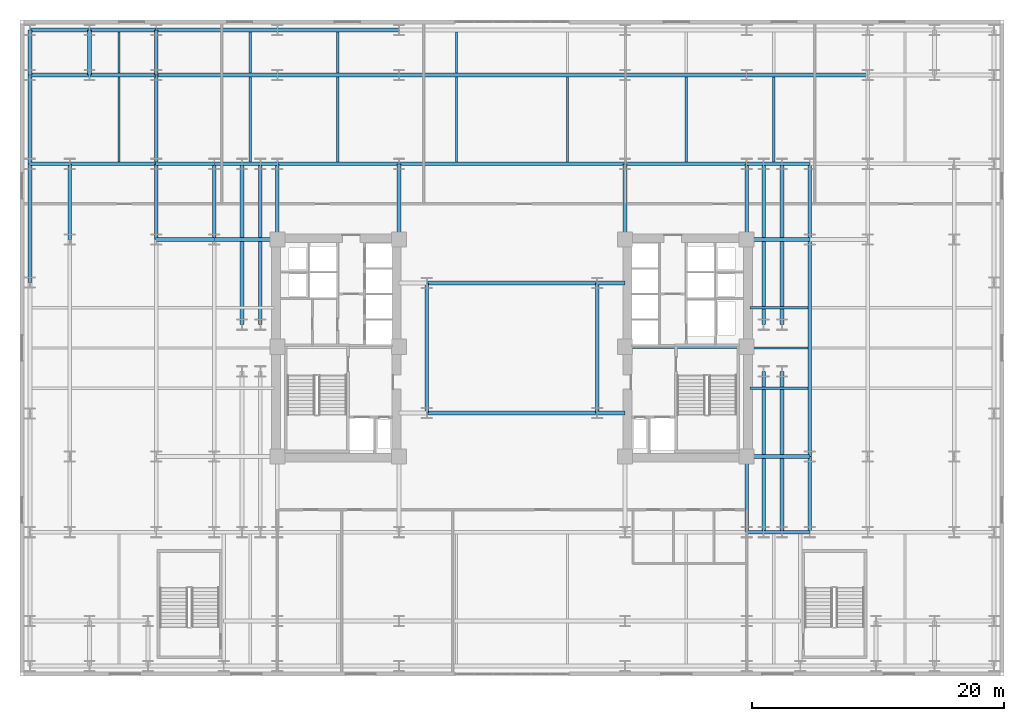
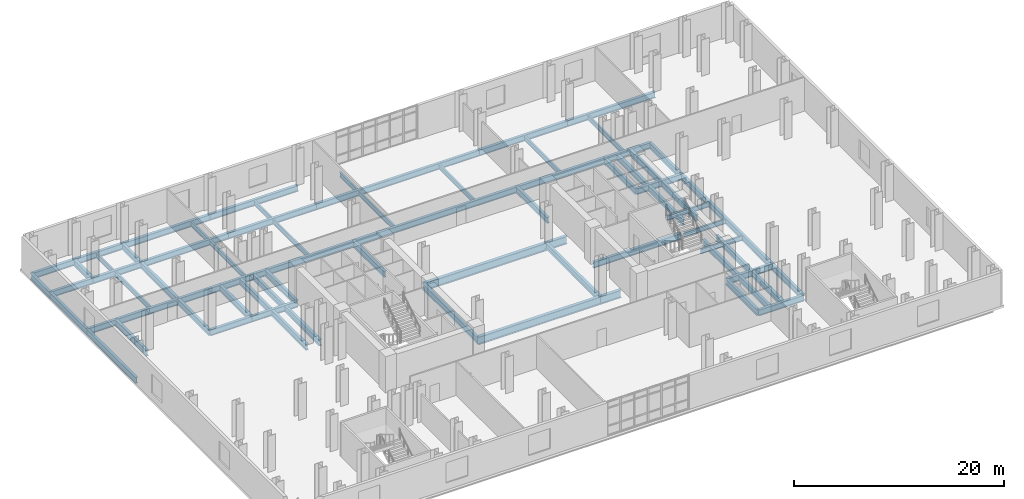
# One storey, part 4 of 13: 68 beams.
"""IFC4 building model written with IfcOpenShell, lengths in metres."""

from ifc_helpers import new_model, si_unit, direction, frame, origin, origin_2d, place, context, subcontext, project, spatial, i_section, extrude, material, material_profile, profile_set, type_object, element, save


model = new_model("IFC4")

# Units and contexts
model_context = context("Model", 3, precision=1e-05, world=origin(), true_north=direction((0.0, 1.0)))
body_context = subcontext(model_context, "Body", "Model", "MODEL_VIEW")
ifc_project = project(units=[si_unit("LENGTHUNIT", "METRE"), si_unit("AREAUNIT", "SQUARE_METRE"), si_unit("VOLUMEUNIT", "CUBIC_METRE"), si_unit("PLANEANGLEUNIT", "RADIAN"), si_unit("MASSUNIT", "GRAM", prefix="KILO")], contexts=[model_context])

# Site, building, storey
site_placement = place(None, origin())
site = spatial("IfcSite", under=ifc_project, at=site_placement, CompositionType="ELEMENT")
building_placement = place(site_placement, origin())
building = spatial("IfcBuilding", under=site, at=building_placement, Name="Velakula Bourse", CompositionType="ELEMENT")
storey_placement = place(building_placement, frame((0.0, 0.0, 18.60009765625)))
storey = spatial("IfcBuildingStorey", under=building, at=storey_placement, Name="L04", CompositionType="ELEMENT", Elevation=18.60009765625)

# Beams
ifc_material = material(Name="Steel IS 2062 Grade 350 (E350)", Category="steel")
ifc_material_profile_1 = material_profile(ifc_material, i_section(OverallWidth=0.35009765625, OverallDepth=0.89990234375, WebThickness=0.02001953125, FlangeThickness=0.031982421875, at=origin_2d()), Name="Steel IS 2062 Grade 350 (E350)")
ifc_profile_set_1 = profile_set([ifc_material_profile_1], Name="Steel IS 2062 Grade 350 (E350)")
beam_type_1 = type_object("IfcBeamType", Name="BM-LNK-900", PredefinedType="BEAM", material=ifc_profile_set_1)
beam_1_placement = place(storey_placement, frame((-6.75, -5.14990234375, -0.7001953125), z_axis=(1.0, 0.0, 0.0), x_axis=(0.0, 1.0, 0.0)))
element("IfcBeam", 1, at=beam_1_placement, inside=storey, type_object=beam_type_1, Name="L04 Primary Backbone Girder LNK-S2", PredefinedType="BEAM", context=body_context, shape_type="SweptSolid", body=[
    extrude(i_section(OverallWidth=0.35009765625, OverallDepth=0.89990234375, WebThickness=0.02001953125, FlangeThickness=0.031982421875, at=origin_2d()), origin(), (0.0, 0.0, 1.0), 13.5),
])
beam_2_placement = place(storey_placement, frame((6.75, -5.14990234375, -0.7001953125), z_axis=(1.0, 0.0, 0.0), x_axis=(0.0, 1.0, 0.0)))
element("IfcBeam", 2, at=beam_2_placement, inside=storey, type_object=beam_type_1, Name="L04 Primary Backbone Girder LNK-S3", PredefinedType="BEAM", context=body_context, shape_type="SweptSolid", body=[
    extrude(i_section(OverallWidth=0.35009765625, OverallDepth=0.89990234375, WebThickness=0.02001953125, FlangeThickness=0.031982421875, at=origin_2d()), origin(), (0.0, 0.0, 1.0), 2.199951171875),
])
beam_3_placement = place(storey_placement, frame((-6.75, 5.14990234375, -0.7001953125), z_axis=(1.0, 0.0, 0.0), x_axis=(0.0, 1.0, 0.0)))
element("IfcBeam", 3, at=beam_3_placement, inside=storey, type_object=beam_type_1, Name="L04 Primary Backbone Girder LNK-N2", PredefinedType="BEAM", context=body_context, shape_type="SweptSolid", body=[
    extrude(i_section(OverallWidth=0.35009765625, OverallDepth=0.89990234375, WebThickness=0.02001953125, FlangeThickness=0.031982421875, at=origin_2d()), origin(), (0.0, 0.0, 1.0), 13.5),
])
beam_4_placement = place(storey_placement, frame((6.75, 5.14990234375, -0.7001953125), z_axis=(1.0, 0.0, 0.0), x_axis=(0.0, 1.0, 0.0)))
element("IfcBeam", 4, at=beam_4_placement, inside=storey, type_object=beam_type_1, Name="L04 Primary Backbone Girder LNK-N3", PredefinedType="BEAM", context=body_context, shape_type="SweptSolid", body=[
    extrude(i_section(OverallWidth=0.35009765625, OverallDepth=0.89990234375, WebThickness=0.02001953125, FlangeThickness=0.031982421875, at=origin_2d()), origin(), (0.0, 0.0, 1.0), 2.199951171875),
])
ifc_material_profile_2 = material_profile(ifc_material, i_section(OverallWidth=0.300048828125, OverallDepth=0.699951171875, WebThickness=0.01611328125, FlangeThickness=0.02490234375, at=origin_2d()), Name="Steel IS 2062 Grade 350 (E350)")
ifc_profile_set_2 = profile_set([ifc_material_profile_2], Name="Steel IS 2062 Grade 350 (E350)")
beam_type_2 = type_object("IfcBeamType", Name="BM-POD-700", PredefinedType="BEAM", material=ifc_profile_set_2)
beam_5_placement = place(storey_placement, frame((8.949951171875, 0.10009765625, -0.60009765625), z_axis=(1.0, 0.0, 0.0), x_axis=(0.0, 1.0, 0.0)))
element("IfcBeam", 5, at=beam_5_placement, inside=storey, type_object=beam_type_2, Name="L04 Primary Backbone Girder CRE-M", PredefinedType="BEAM", context=body_context, shape_type="SweptSolid", body=[
    extrude(i_section(OverallWidth=0.300048828125, OverallDepth=0.699951171875, WebThickness=0.01611328125, FlangeThickness=0.02490234375, at=origin_2d()), origin(), (0.0, 0.0, 1.0), 9.650146484375),
])
for number, where, z_axis, x_axis, name in (
    (6, (-6.75, -5.14990234375, -0.60009765625), (0.0, 1.0, 0.0), (-1.0, 0.0, 0.0), "L04 Primary Backbone Girder SPN-W"),
    (7, (6.75, -5.14990234375, -0.60009765625), (0.0, 1.0, 0.0), (-1.0, 0.0, 0.0), "L04 Primary Backbone Girder SPN-E"),
):
    element("IfcBeam", number, at=place(storey_placement, frame(where, z_axis=z_axis, x_axis=x_axis)), inside=storey, type_object=beam_type_2, Name=name, PredefinedType="BEAM", context=body_context, shape_type="SweptSolid", body=[
        extrude(i_section(OverallWidth=0.300048828125, OverallDepth=0.699951171875, WebThickness=0.01611328125, FlangeThickness=0.02490234375, at=origin_2d()), origin(), (0.0, 0.0, 1.0), 10.2998046875),
    ])
for number, where, z_axis, x_axis, name in (
    (8, (-18.60009765625, 8.60009765625, -0.60009765625), (0.0, 1.0, 0.0), (-1.0, 0.0, 0.0), "L04 Fulcrum Grid Girder FLC-WN"),
    (9, (-8.949951171875, 8.60009765625, -0.60009765625), (0.0, 1.0, 0.0), (-1.0, 0.0, 0.0), "L04 Fulcrum Grid Girder FLC-WCN"),
    (10, (8.949951171875, 8.60009765625, -0.60009765625), (0.0, 1.0, 0.0), (-1.0, 0.0, 0.0), "L04 Fulcrum Grid Girder FLC-ECN"),
    (11, (18.60009765625, -14.60009765625, -0.60009765625), (0.0, 1.0, 0.0), (-1.0, 0.0, 0.0), "L04 Fulcrum Grid Girder FLC-ES"),
    (12, (18.60009765625, 8.60009765625, -0.60009765625), (0.0, 1.0, 0.0), (-1.0, 0.0, 0.0), "L04 Fulcrum Grid Girder FLC-EN"),
):
    element("IfcBeam", number, at=place(storey_placement, frame(where, z_axis=z_axis, x_axis=x_axis)), inside=storey, type_object=beam_type_2, Name=name, PredefinedType="BEAM", context=body_context, shape_type="SweptSolid", body=[
        extrude(i_section(OverallWidth=0.300048828125, OverallDepth=0.699951171875, WebThickness=0.01611328125, FlangeThickness=0.02490234375, at=origin_2d()), origin(), (0.0, 0.0, 1.0), 6.0),
    ])
beam_6_placement = place(storey_placement, frame((-18.60009765625, 14.60009765625, -0.60009765625), z_axis=(1.0, 0.0, 0.0), x_axis=(0.0, 1.0, 0.0)))
element("IfcBeam", 13, at=beam_6_placement, inside=storey, type_object=beam_type_2, Name="L04 Fulcrum Grid Girder FLC-N1", PredefinedType="BEAM", context=body_context, shape_type="SweptSolid", body=[
    extrude(i_section(OverallWidth=0.300048828125, OverallDepth=0.699951171875, WebThickness=0.01611328125, FlangeThickness=0.02490234375, at=origin_2d()), origin(), (0.0, 0.0, 1.0), 9.650146484375),
])
beam_7_placement = place(storey_placement, frame((-8.949951171875, 14.60009765625, -0.60009765625), z_axis=(1.0, 0.0, 0.0), x_axis=(0.0, 1.0, 0.0)))
element("IfcBeam", 14, at=beam_7_placement, inside=storey, type_object=beam_type_2, Name="L04 Fulcrum Grid Girder FLC-N2", PredefinedType="BEAM", context=body_context, shape_type="SweptSolid", body=[
    extrude(i_section(OverallWidth=0.300048828125, OverallDepth=0.699951171875, WebThickness=0.01611328125, FlangeThickness=0.02490234375, at=origin_2d()), origin(), (0.0, 0.0, 1.0), 17.89990234375),
])
beam_8_placement = place(storey_placement, frame((8.949951171875, 14.60009765625, -0.60009765625), z_axis=(1.0, 0.0, 0.0), x_axis=(0.0, 1.0, 0.0)))
element("IfcBeam", 15, at=beam_8_placement, inside=storey, type_object=beam_type_2, Name="L04 Fulcrum Grid Girder FLC-N3", PredefinedType="BEAM", context=body_context, shape_type="SweptSolid", body=[
    extrude(i_section(OverallWidth=0.300048828125, OverallDepth=0.699951171875, WebThickness=0.01611328125, FlangeThickness=0.02490234375, at=origin_2d()), origin(), (0.0, 0.0, 1.0), 9.650146484375),
])
for number, where, z_axis, x_axis, name in (
    (16, (-21.39990234375, 1.85009765625, -0.60009765625), (0.0, 1.0, 0.0), (-1.0, 0.0, 0.0), "L04 Fulcrum Grid Girder FLC-PNW1"),
    (17, (-19.949951171875, 1.85009765625, -0.60009765625), (0.0, 1.0, 0.0), (-1.0, 0.0, 0.0), "L04 Fulcrum Grid Girder FLC-PNW2"),
    (18, (19.949951171875, -14.60009765625, -0.60009765625), (0.0, 1.0, 0.0), (-1.0, 0.0, 0.0), "L04 Fulcrum Grid Girder FLC-PSE1"),
    (19, (19.949951171875, 1.85009765625, -0.60009765625), (0.0, 1.0, 0.0), (-1.0, 0.0, 0.0), "L04 Fulcrum Grid Girder FLC-PNE1"),
    (20, (21.39990234375, -14.60009765625, -0.60009765625), (0.0, 1.0, 0.0), (-1.0, 0.0, 0.0), "L04 Fulcrum Grid Girder FLC-PSE2"),
    (21, (21.39990234375, 1.85009765625, -0.60009765625), (0.0, 1.0, 0.0), (-1.0, 0.0, 0.0), "L04 Fulcrum Grid Girder FLC-PNE2"),
):
    element("IfcBeam", number, at=place(storey_placement, frame(where, z_axis=z_axis, x_axis=x_axis)), inside=storey, type_object=beam_type_2, Name=name, PredefinedType="BEAM", context=body_context, shape_type="SweptSolid", body=[
        extrude(i_section(OverallWidth=0.300048828125, OverallDepth=0.699951171875, WebThickness=0.01611328125, FlangeThickness=0.02490234375, at=origin_2d()), origin(), (0.0, 0.0, 1.0), 12.75),
    ])
for number, where, z_axis, x_axis, name in (
    (22, (-23.60009765625, 8.60009765625, -0.60009765625), (1.0, 0.0, 0.0), (0.0, 1.0, 0.0), "L04 Fulcrum Grid Girder MWG-WN1"),
    (23, (-23.60009765625, 14.60009765625, -0.60009765625), (1.0, 0.0, 0.0), (0.0, 1.0, 0.0), "L04 Fulcrum Grid Girder MWG-WN2"),
):
    element("IfcBeam", number, at=place(storey_placement, frame(where, z_axis=z_axis, x_axis=x_axis)), inside=storey, type_object=beam_type_2, Name=name, PredefinedType="BEAM", context=body_context, shape_type="SweptSolid", body=[
        extrude(i_section(OverallWidth=0.300048828125, OverallDepth=0.699951171875, WebThickness=0.01611328125, FlangeThickness=0.02490234375, at=origin_2d()), origin(), (0.0, 0.0, 1.0), 5.0),
    ])
beam_9_placement = place(storey_placement, frame((-23.60009765625, 8.60009765625, -0.60009765625), z_axis=(0.0, 1.0, 0.0), x_axis=(-1.0, 0.0, 0.0)))
element("IfcBeam", 24, at=beam_9_placement, inside=storey, type_object=beam_type_2, Name="L04 Fulcrum Grid Girder MWG-WNS3", PredefinedType="BEAM", context=body_context, shape_type="SweptSolid", body=[
    extrude(i_section(OverallWidth=0.300048828125, OverallDepth=0.699951171875, WebThickness=0.01611328125, FlangeThickness=0.02490234375, at=origin_2d()), origin(), (0.0, 0.0, 1.0), 6.0),
])
for number, where, z_axis, x_axis, name in (
    (25, (18.60009765625, -14.60009765625, -0.60009765625), (1.0, 0.0, 0.0), (0.0, 1.0, 0.0), "L04 Fulcrum Grid Girder MWG-ES1"),
    (26, (18.60009765625, -8.60009765625, -0.60009765625), (1.0, 0.0, 0.0), (0.0, 1.0, 0.0), "L04 Fulcrum Grid Girder MWG-ES2"),
    (27, (18.60009765625, 8.60009765625, -0.60009765625), (1.0, 0.0, 0.0), (0.0, 1.0, 0.0), "L04 Fulcrum Grid Girder MWG-EN1"),
    (28, (18.60009765625, 14.60009765625, -0.60009765625), (1.0, 0.0, 0.0), (0.0, 1.0, 0.0), "L04 Fulcrum Grid Girder MWG-EN2"),
):
    element("IfcBeam", number, at=place(storey_placement, frame(where, z_axis=z_axis, x_axis=x_axis)), inside=storey, type_object=beam_type_2, Name=name, PredefinedType="BEAM", context=body_context, shape_type="SweptSolid", body=[
        extrude(i_section(OverallWidth=0.300048828125, OverallDepth=0.699951171875, WebThickness=0.01611328125, FlangeThickness=0.02490234375, at=origin_2d()), origin(), (0.0, 0.0, 1.0), 5.0),
    ])
beam_10_placement = place(storey_placement, frame((23.60009765625, -14.60009765625, -0.60009765625), z_axis=(0.0, 1.0, 0.0), x_axis=(-1.0, 0.0, 0.0)))
element("IfcBeam", 29, at=beam_10_placement, inside=storey, type_object=beam_type_2, Name="L04 Fulcrum Grid Girder MWG-ENS1", PredefinedType="BEAM", context=body_context, shape_type="SweptSolid", body=[
    extrude(i_section(OverallWidth=0.300048828125, OverallDepth=0.699951171875, WebThickness=0.01611328125, FlangeThickness=0.02490234375, at=origin_2d()), origin(), (0.0, 0.0, 1.0), 6.0),
])
beam_11_placement = place(storey_placement, frame((23.60009765625, -8.60009765625, -0.60009765625), z_axis=(0.0, 1.0, 0.0), x_axis=(-1.0, 0.0, 0.0)))
element("IfcBeam", 30, at=beam_11_placement, inside=storey, type_object=beam_type_2, Name="L04 Fulcrum Grid Girder MWG-ENS2", PredefinedType="BEAM", context=body_context, shape_type="SweptSolid", body=[
    extrude(i_section(OverallWidth=0.300048828125, OverallDepth=0.699951171875, WebThickness=0.01611328125, FlangeThickness=0.02490234375, at=origin_2d()), origin(), (0.0, 0.0, 1.0), 17.2001953125),
])
beam_12_placement = place(storey_placement, frame((23.60009765625, 8.60009765625, -0.60009765625), z_axis=(0.0, 1.0, 0.0), x_axis=(-1.0, 0.0, 0.0)))
element("IfcBeam", 31, at=beam_12_placement, inside=storey, type_object=beam_type_2, Name="L04 Fulcrum Grid Girder MWG-ENS3", PredefinedType="BEAM", context=body_context, shape_type="SweptSolid", body=[
    extrude(i_section(OverallWidth=0.300048828125, OverallDepth=0.699951171875, WebThickness=0.01611328125, FlangeThickness=0.02490234375, at=origin_2d()), origin(), (0.0, 0.0, 1.0), 6.0),
])
for number, where, z_axis, x_axis, name in (
    (32, (-28.199951171875, 8.60009765625, -0.60009765625), (1.0, 0.0, 0.0), (0.0, 1.0, 0.0), "L04 Fulcrum Grid Girder WNG-WN1"),
    (33, (-28.199951171875, 14.60009765625, -0.60009765625), (1.0, 0.0, 0.0), (0.0, 1.0, 0.0), "L04 Fulcrum Grid Girder WNG-WN2"),
):
    element("IfcBeam", number, at=place(storey_placement, frame(where, z_axis=z_axis, x_axis=x_axis)), inside=storey, type_object=beam_type_2, Name=name, PredefinedType="BEAM", context=body_context, shape_type="SweptSolid", body=[
        extrude(i_section(OverallWidth=0.300048828125, OverallDepth=0.699951171875, WebThickness=0.01611328125, FlangeThickness=0.02490234375, at=origin_2d()), origin(), (0.0, 0.0, 1.0), 4.599853515625),
    ])
beam_13_placement = place(storey_placement, frame((-28.199951171875, 8.60009765625, -0.60009765625), z_axis=(0.0, 1.0, 0.0), x_axis=(-1.0, 0.0, 0.0)))
element("IfcBeam", 34, at=beam_13_placement, inside=storey, type_object=beam_type_2, Name="L04 Fulcrum Grid Girder WNG-WNS3", PredefinedType="BEAM", context=body_context, shape_type="SweptSolid", body=[
    extrude(i_section(OverallWidth=0.300048828125, OverallDepth=0.699951171875, WebThickness=0.01611328125, FlangeThickness=0.02490234375, at=origin_2d()), origin(), (0.0, 0.0, 1.0), 6.0),
])
beam_14_placement = place(storey_placement, frame((-38.199951171875, 14.60009765625, -0.60009765625), z_axis=(1.0, 0.0, 0.0), x_axis=(0.0, 1.0, 0.0)))
element("IfcBeam", 35, at=beam_14_placement, inside=storey, type_object=beam_type_2, Name="L04 Podium E-W Girder 34", PredefinedType="BEAM", context=body_context, shape_type="SweptSolid", body=[
    extrude(i_section(OverallWidth=0.300048828125, OverallDepth=0.699951171875, WebThickness=0.01611328125, FlangeThickness=0.02490234375, at=origin_2d()), origin(), (0.0, 0.0, 1.0), 3.14990234375),
])
beam_15_placement = place(storey_placement, frame((-35.050048828125, 14.60009765625, -0.60009765625), z_axis=(1.0, 0.0, 0.0), x_axis=(0.0, 1.0, 0.0)))
element("IfcBeam", 36, at=beam_15_placement, inside=storey, type_object=beam_type_2, Name="L04 Podium E-W Girder 35", PredefinedType="BEAM", context=body_context, shape_type="SweptSolid", body=[
    extrude(i_section(OverallWidth=0.300048828125, OverallDepth=0.699951171875, WebThickness=0.01611328125, FlangeThickness=0.02490234375, at=origin_2d()), origin(), (0.0, 0.0, 1.0), 6.85009765625),
])
beam_16_placement = place(storey_placement, frame((-38.199951171875, 21.64990234375, -0.60009765625), z_axis=(1.0, 0.0, 0.0), x_axis=(0.0, 1.0, 0.0)))
element("IfcBeam", 37, at=beam_16_placement, inside=storey, type_object=beam_type_2, Name="L04 Podium E-W Girder 47", PredefinedType="BEAM", context=body_context, shape_type="SweptSolid", body=[
    extrude(i_section(OverallWidth=0.300048828125, OverallDepth=0.699951171875, WebThickness=0.01611328125, FlangeThickness=0.02490234375, at=origin_2d()), origin(), (0.0, 0.0, 1.0), 4.699951171875),
])
beam_17_placement = place(storey_placement, frame((-33.5, 21.64990234375, -0.60009765625), z_axis=(1.0, 0.0, 0.0), x_axis=(0.0, 1.0, 0.0)))
element("IfcBeam", 38, at=beam_17_placement, inside=storey, type_object=beam_type_2, Name="L04 Podium E-W Girder 48", PredefinedType="BEAM", context=body_context, shape_type="SweptSolid", body=[
    extrude(i_section(OverallWidth=0.300048828125, OverallDepth=0.699951171875, WebThickness=0.01611328125, FlangeThickness=0.02490234375, at=origin_2d()), origin(), (0.0, 0.0, 1.0), 5.300048828125),
])
beam_18_placement = place(storey_placement, frame((-28.199951171875, 21.64990234375, -0.60009765625), z_axis=(1.0, 0.0, 0.0), x_axis=(0.0, 1.0, 0.0)))
element("IfcBeam", 39, at=beam_18_placement, inside=storey, type_object=beam_type_2, Name="L04 Podium E-W Girder 49", PredefinedType="BEAM", context=body_context, shape_type="SweptSolid", body=[
    extrude(i_section(OverallWidth=0.300048828125, OverallDepth=0.699951171875, WebThickness=0.01611328125, FlangeThickness=0.02490234375, at=origin_2d()), origin(), (0.0, 0.0, 1.0), 9.599853515625),
])
beam_19_placement = place(storey_placement, frame((-18.60009765625, 21.64990234375, -0.60009765625), z_axis=(1.0, 0.0, 0.0), x_axis=(0.0, 1.0, 0.0)))
element("IfcBeam", 40, at=beam_19_placement, inside=storey, type_object=beam_type_2, Name="L04 Podium E-W Girder 50", PredefinedType="BEAM", context=body_context, shape_type="SweptSolid", body=[
    extrude(i_section(OverallWidth=0.300048828125, OverallDepth=0.699951171875, WebThickness=0.01611328125, FlangeThickness=0.02490234375, at=origin_2d()), origin(), (0.0, 0.0, 1.0), 9.650146484375),
])
beam_20_placement = place(storey_placement, frame((-8.949951171875, 21.64990234375, -0.60009765625), z_axis=(1.0, 0.0, 0.0), x_axis=(0.0, 1.0, 0.0)))
element("IfcBeam", 41, at=beam_20_placement, inside=storey, type_object=beam_type_2, Name="L04 Podium E-W Girder 51", PredefinedType="BEAM", context=body_context, shape_type="SweptSolid", body=[
    extrude(i_section(OverallWidth=0.300048828125, OverallDepth=0.699951171875, WebThickness=0.01611328125, FlangeThickness=0.02490234375, at=origin_2d()), origin(), (0.0, 0.0, 1.0), 17.89990234375),
])
beam_21_placement = place(storey_placement, frame((8.949951171875, 21.64990234375, -0.60009765625), z_axis=(1.0, 0.0, 0.0), x_axis=(0.0, 1.0, 0.0)))
element("IfcBeam", 42, at=beam_21_placement, inside=storey, type_object=beam_type_2, Name="L04 Podium E-W Girder 52", PredefinedType="BEAM", context=body_context, shape_type="SweptSolid", body=[
    extrude(i_section(OverallWidth=0.300048828125, OverallDepth=0.699951171875, WebThickness=0.01611328125, FlangeThickness=0.02490234375, at=origin_2d()), origin(), (0.0, 0.0, 1.0), 9.650146484375),
])
beam_22_placement = place(storey_placement, frame((18.60009765625, 21.64990234375, -0.60009765625), z_axis=(1.0, 0.0, 0.0), x_axis=(0.0, 1.0, 0.0)))
element("IfcBeam", 43, at=beam_22_placement, inside=storey, type_object=beam_type_2, Name="L04 Podium E-W Girder 53", PredefinedType="BEAM", context=body_context, shape_type="SweptSolid", body=[
    extrude(i_section(OverallWidth=0.300048828125, OverallDepth=0.699951171875, WebThickness=0.01611328125, FlangeThickness=0.02490234375, at=origin_2d()), origin(), (0.0, 0.0, 1.0), 9.599853515625),
])
beam_23_placement = place(storey_placement, frame((-38.199951171875, 25.199951171875, -0.60009765625), z_axis=(1.0, 0.0, 0.0), x_axis=(0.0, 1.0, 0.0)))
element("IfcBeam", 44, at=beam_23_placement, inside=storey, type_object=beam_type_2, Name="L04 Podium E-W Girder 56", PredefinedType="BEAM", context=body_context, shape_type="SweptSolid", body=[
    extrude(i_section(OverallWidth=0.300048828125, OverallDepth=0.699951171875, WebThickness=0.01611328125, FlangeThickness=0.02490234375, at=origin_2d()), origin(), (0.0, 0.0, 1.0), 4.699951171875),
])
beam_24_placement = place(storey_placement, frame((-33.5, 25.199951171875, -0.60009765625), z_axis=(1.0, 0.0, 0.0), x_axis=(0.0, 1.0, 0.0)))
element("IfcBeam", 45, at=beam_24_placement, inside=storey, type_object=beam_type_2, Name="L04 Podium E-W Girder 57", PredefinedType="BEAM", context=body_context, shape_type="SweptSolid", body=[
    extrude(i_section(OverallWidth=0.300048828125, OverallDepth=0.699951171875, WebThickness=0.01611328125, FlangeThickness=0.02490234375, at=origin_2d()), origin(), (0.0, 0.0, 1.0), 5.300048828125),
])
beam_25_placement = place(storey_placement, frame((-28.199951171875, 25.199951171875, -0.60009765625), z_axis=(1.0, 0.0, 0.0), x_axis=(0.0, 1.0, 0.0)))
element("IfcBeam", 46, at=beam_25_placement, inside=storey, type_object=beam_type_2, Name="L04 Podium E-W Girder 58", PredefinedType="BEAM", context=body_context, shape_type="SweptSolid", body=[
    extrude(i_section(OverallWidth=0.300048828125, OverallDepth=0.699951171875, WebThickness=0.01611328125, FlangeThickness=0.02490234375, at=origin_2d()), origin(), (0.0, 0.0, 1.0), 9.599853515625),
])
beam_26_placement = place(storey_placement, frame((-18.60009765625, 25.199951171875, -0.60009765625), z_axis=(1.0, 0.0, 0.0), x_axis=(0.0, 1.0, 0.0)))
element("IfcBeam", 47, at=beam_26_placement, inside=storey, type_object=beam_type_2, Name="L04 Podium E-W Girder 59", PredefinedType="BEAM", context=body_context, shape_type="SweptSolid", body=[
    extrude(i_section(OverallWidth=0.300048828125, OverallDepth=0.699951171875, WebThickness=0.01611328125, FlangeThickness=0.02490234375, at=origin_2d()), origin(), (0.0, 0.0, 1.0), 9.650146484375),
])
beam_27_placement = place(storey_placement, frame((-38.199951171875, 5.199951171875, -0.60009765625), z_axis=(0.0, 1.0, 0.0), x_axis=(-1.0, 0.0, 0.0)))
element("IfcBeam", 48, at=beam_27_placement, inside=storey, type_object=beam_type_2, Name="L04 Podium N-S Girder 69", PredefinedType="BEAM", context=body_context, shape_type="SweptSolid", body=[
    extrude(i_section(OverallWidth=0.300048828125, OverallDepth=0.699951171875, WebThickness=0.01611328125, FlangeThickness=0.02490234375, at=origin_2d()), origin(), (0.0, 0.0, 1.0), 9.400146484375),
])
beam_28_placement = place(storey_placement, frame((-38.199951171875, 14.60009765625, -0.60009765625), z_axis=(0.0, 1.0, 0.0), x_axis=(-1.0, 0.0, 0.0)))
element("IfcBeam", 49, at=beam_28_placement, inside=storey, type_object=beam_type_2, Name="L04 Podium N-S Girder 70", PredefinedType="BEAM", context=body_context, shape_type="SweptSolid", body=[
    extrude(i_section(OverallWidth=0.300048828125, OverallDepth=0.699951171875, WebThickness=0.01611328125, FlangeThickness=0.02490234375, at=origin_2d()), origin(), (0.0, 0.0, 1.0), 7.0498046875),
])
beam_29_placement = place(storey_placement, frame((-38.199951171875, 21.64990234375, -0.60009765625), z_axis=(0.0, 1.0, 0.0), x_axis=(-1.0, 0.0, 0.0)))
element("IfcBeam", 50, at=beam_29_placement, inside=storey, type_object=beam_type_2, Name="L04 Podium N-S Girder 71", PredefinedType="BEAM", context=body_context, shape_type="SweptSolid", body=[
    extrude(i_section(OverallWidth=0.300048828125, OverallDepth=0.699951171875, WebThickness=0.01611328125, FlangeThickness=0.02490234375, at=origin_2d()), origin(), (0.0, 0.0, 1.0), 3.550048828125),
])
beam_30_placement = place(storey_placement, frame((-35.050048828125, 8.60009765625, -0.60009765625), z_axis=(0.0, 1.0, 0.0), x_axis=(-1.0, 0.0, 0.0)))
element("IfcBeam", 51, at=beam_30_placement, inside=storey, type_object=beam_type_2, Name="L04 Podium N-S Girder 74", PredefinedType="BEAM", context=body_context, shape_type="SweptSolid", body=[
    extrude(i_section(OverallWidth=0.300048828125, OverallDepth=0.699951171875, WebThickness=0.01611328125, FlangeThickness=0.02490234375, at=origin_2d()), origin(), (0.0, 0.0, 1.0), 6.0),
])
beam_31_placement = place(storey_placement, frame((-28.199951171875, 14.60009765625, -0.60009765625), z_axis=(0.0, 1.0, 0.0), x_axis=(-1.0, 0.0, 0.0)))
element("IfcBeam", 52, at=beam_31_placement, inside=storey, type_object=beam_type_2, Name="L04 Podium N-S Girder 80", PredefinedType="BEAM", context=body_context, shape_type="SweptSolid", body=[
    extrude(i_section(OverallWidth=0.300048828125, OverallDepth=0.699951171875, WebThickness=0.01611328125, FlangeThickness=0.02490234375, at=origin_2d()), origin(), (0.0, 0.0, 1.0), 7.0498046875),
])
for number, where, z_axis, x_axis, name in (
    (53, (-28.199951171875, 21.64990234375, -0.60009765625), (0.0, 1.0, 0.0), (-1.0, 0.0, 0.0), "L04 Podium N-S Girder 81"),
    (54, (-33.5, 21.64990234375, -0.60009765625), (0.0, 1.0, 0.0), (-1.0, 0.0, 0.0), "L04 Podium N-S Girder 99"),
):
    element("IfcBeam", number, at=place(storey_placement, frame(where, z_axis=z_axis, x_axis=x_axis)), inside=storey, type_object=beam_type_2, Name=name, PredefinedType="BEAM", context=body_context, shape_type="SweptSolid", body=[
        extrude(i_section(OverallWidth=0.300048828125, OverallDepth=0.699951171875, WebThickness=0.01611328125, FlangeThickness=0.02490234375, at=origin_2d()), origin(), (0.0, 0.0, 1.0), 3.550048828125),
    ])
ifc_material_profile_3 = material_profile(ifc_material, i_section(OverallWidth=0.18994140625, OverallDepth=0.550048828125, WebThickness=0.01123046875, FlangeThickness=0.019287109375, at=origin_2d()), Name="Steel IS 2062 Grade 350 (E350)")
ifc_profile_set_3 = profile_set([ifc_material_profile_3], Name="Steel IS 2062 Grade 350 (E350)")
beam_type_3 = type_object("IfcBeamType", Name="JST-POD-550", PredefinedType="JOIST", material=ifc_profile_set_3)
beam_32_placement = place(storey_placement, frame((-31.14990234375, 14.75, -0.525146484375), z_axis=(0.0, 1.0, 0.0), x_axis=(-1.0, 0.0, 0.0)))
element("IfcBeam", 55, at=beam_32_placement, inside=storey, type_object=beam_type_3, Name="L04 Station Podium Floor Joist 03", PredefinedType="JOIST", context=body_context, shape_type="SweptSolid", body=[
    extrude(i_section(OverallWidth=0.18994140625, OverallDepth=0.550048828125, WebThickness=0.01123046875, FlangeThickness=0.019287109375, at=origin_2d()), origin(), (0.0, 0.0, 1.0), 6.75),
])
beam_33_placement = place(storey_placement, frame((-31.14990234375, 21.800048828125, -0.525146484375), z_axis=(0.0, 1.0, 0.0), x_axis=(-1.0, 0.0, 0.0)))
element("IfcBeam", 56, at=beam_33_placement, inside=storey, type_object=beam_type_3, Name="L04 Station Podium Floor Joist 04", PredefinedType="JOIST", context=body_context, shape_type="SweptSolid", body=[
    extrude(i_section(OverallWidth=0.18994140625, OverallDepth=0.550048828125, WebThickness=0.01123046875, FlangeThickness=0.019287109375, at=origin_2d()), origin(), (0.0, 0.0, 1.0), 3.25),
])
beam_34_placement = place(storey_placement, frame((-20.75, 14.75, -0.525146484375), z_axis=(0.0, 1.0, 0.0), x_axis=(-1.0, 0.0, 0.0)))
element("IfcBeam", 57, at=beam_34_placement, inside=storey, type_object=beam_type_3, Name="L04 Station Podium Floor Joist 07", PredefinedType="JOIST", context=body_context, shape_type="SweptSolid", body=[
    extrude(i_section(OverallWidth=0.18994140625, OverallDepth=0.550048828125, WebThickness=0.01123046875, FlangeThickness=0.019287109375, at=origin_2d()), origin(), (0.0, 0.0, 1.0), 6.75),
])
beam_35_placement = place(storey_placement, frame((-20.75, 21.800048828125, -0.525146484375), z_axis=(0.0, 1.0, 0.0), x_axis=(-1.0, 0.0, 0.0)))
element("IfcBeam", 58, at=beam_35_placement, inside=storey, type_object=beam_type_3, Name="L04 Station Podium Floor Joist 08", PredefinedType="JOIST", context=body_context, shape_type="SweptSolid", body=[
    extrude(i_section(OverallWidth=0.18994140625, OverallDepth=0.550048828125, WebThickness=0.01123046875, FlangeThickness=0.019287109375, at=origin_2d()), origin(), (0.0, 0.0, 1.0), 3.25),
])
beam_36_placement = place(storey_placement, frame((-13.800048828125, 14.75, -0.525146484375), z_axis=(0.0, 1.0, 0.0), x_axis=(-1.0, 0.0, 0.0)))
element("IfcBeam", 59, at=beam_36_placement, inside=storey, type_object=beam_type_3, Name="L04 Station Podium Floor Joist 11", PredefinedType="JOIST", context=body_context, shape_type="SweptSolid", body=[
    extrude(i_section(OverallWidth=0.18994140625, OverallDepth=0.550048828125, WebThickness=0.01123046875, FlangeThickness=0.019287109375, at=origin_2d()), origin(), (0.0, 0.0, 1.0), 6.75),
])
beam_37_placement = place(storey_placement, frame((-13.800048828125, 21.800048828125, -0.525146484375), z_axis=(0.0, 1.0, 0.0), x_axis=(-1.0, 0.0, 0.0)))
element("IfcBeam", 60, at=beam_37_placement, inside=storey, type_object=beam_type_3, Name="L04 Station Podium Floor Joist 12", PredefinedType="JOIST", context=body_context, shape_type="SweptSolid", body=[
    extrude(i_section(OverallWidth=0.18994140625, OverallDepth=0.550048828125, WebThickness=0.01123046875, FlangeThickness=0.019287109375, at=origin_2d()), origin(), (0.0, 0.0, 1.0), 3.25),
])
beam_38_placement = place(storey_placement, frame((-4.39990234375, 14.75, -0.525146484375), z_axis=(0.0, 1.0, 0.0), x_axis=(-1.0, 0.0, 0.0)))
element("IfcBeam", 61, at=beam_38_placement, inside=storey, type_object=beam_type_3, Name="L04 Station Podium Floor Joist 15", PredefinedType="JOIST", context=body_context, shape_type="SweptSolid", body=[
    extrude(i_section(OverallWidth=0.18994140625, OverallDepth=0.550048828125, WebThickness=0.01123046875, FlangeThickness=0.019287109375, at=origin_2d()), origin(), (0.0, 0.0, 1.0), 6.75),
])
beam_39_placement = place(storey_placement, frame((-4.39990234375, 21.800048828125, -0.525146484375), z_axis=(0.0, 1.0, 0.0), x_axis=(-1.0, 0.0, 0.0)))
element("IfcBeam", 62, at=beam_39_placement, inside=storey, type_object=beam_type_3, Name="L04 Station Podium Floor Joist 16", PredefinedType="JOIST", context=body_context, shape_type="SweptSolid", body=[
    extrude(i_section(OverallWidth=0.18994140625, OverallDepth=0.550048828125, WebThickness=0.01123046875, FlangeThickness=0.019287109375, at=origin_2d()), origin(), (0.0, 0.0, 1.0), 3.25),
])
for number, where, z_axis, x_axis, name in (
    (63, (4.39990234375, 14.75, -0.525146484375), (0.0, 1.0, 0.0), (-1.0, 0.0, 0.0), "L04 Station Podium Floor Joist 19"),
    (64, (13.800048828125, 14.75, -0.525146484375), (0.0, 1.0, 0.0), (-1.0, 0.0, 0.0), "L04 Station Podium Floor Joist 23"),
    (65, (20.75, 14.75, -0.525146484375), (0.0, 1.0, 0.0), (-1.0, 0.0, 0.0), "L04 Station Podium Floor Joist 27"),
):
    element("IfcBeam", number, at=place(storey_placement, frame(where, z_axis=z_axis, x_axis=x_axis)), inside=storey, type_object=beam_type_3, Name=name, PredefinedType="JOIST", context=body_context, shape_type="SweptSolid", body=[
        extrude(i_section(OverallWidth=0.18994140625, OverallDepth=0.550048828125, WebThickness=0.01123046875, FlangeThickness=0.019287109375, at=origin_2d()), origin(), (0.0, 0.0, 1.0), 6.75),
    ])
for number, where, z_axis, x_axis, name in (
    (66, (18.85009765625, -3.199951171875, -0.525146484375), (1.0, 0.0, 0.0), (0.0, 1.0, 0.0), "L04 Station Wing Floor Joist 37"),
    (67, (18.85009765625, 0.0, -0.525146484375), (1.0, 0.0, 0.0), (0.0, 1.0, 0.0), "L04 Station Wing Floor Joist 45"),
    (68, (18.85009765625, 3.199951171875, -0.525146484375), (1.0, 0.0, 0.0), (0.0, 1.0, 0.0), "L04 Station Wing Floor Joist 53"),
):
    element("IfcBeam", number, at=place(storey_placement, frame(where, z_axis=z_axis, x_axis=x_axis)), inside=storey, type_object=beam_type_3, Name=name, PredefinedType="JOIST", context=body_context, shape_type="SweptSolid", body=[
        extrude(i_section(OverallWidth=0.18994140625, OverallDepth=0.550048828125, WebThickness=0.01123046875, FlangeThickness=0.019287109375, at=origin_2d()), origin(), (0.0, 0.0, 1.0), 4.599853515625),
    ])

save(model, "model.ifc")
